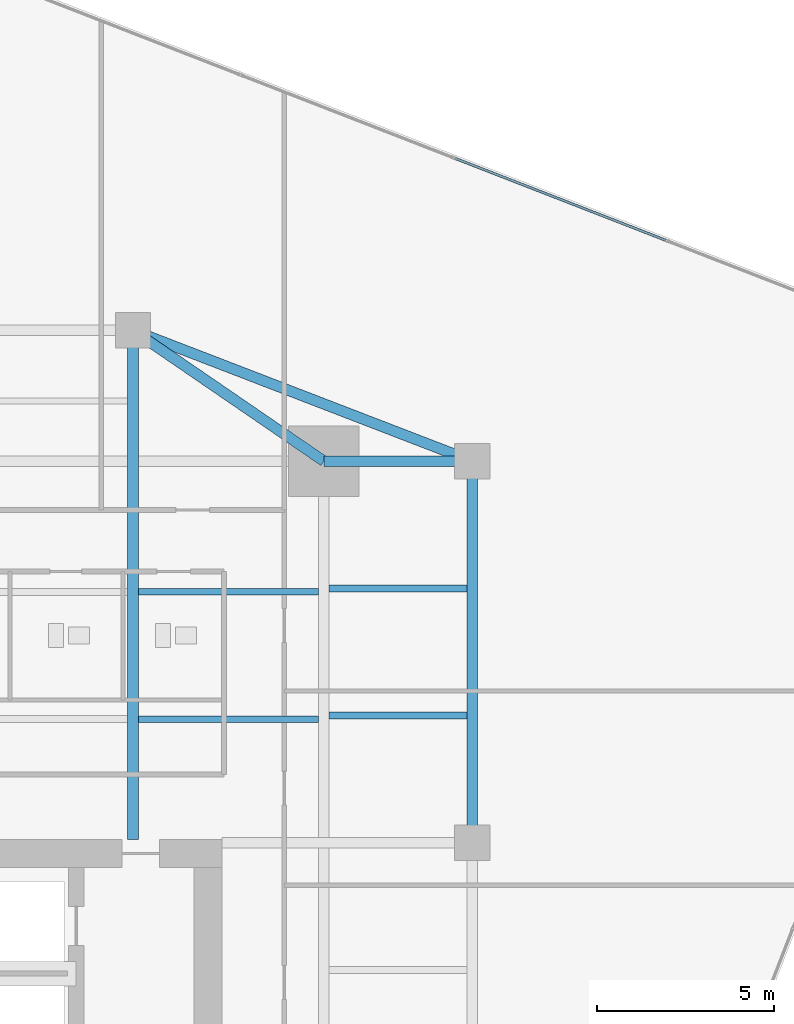
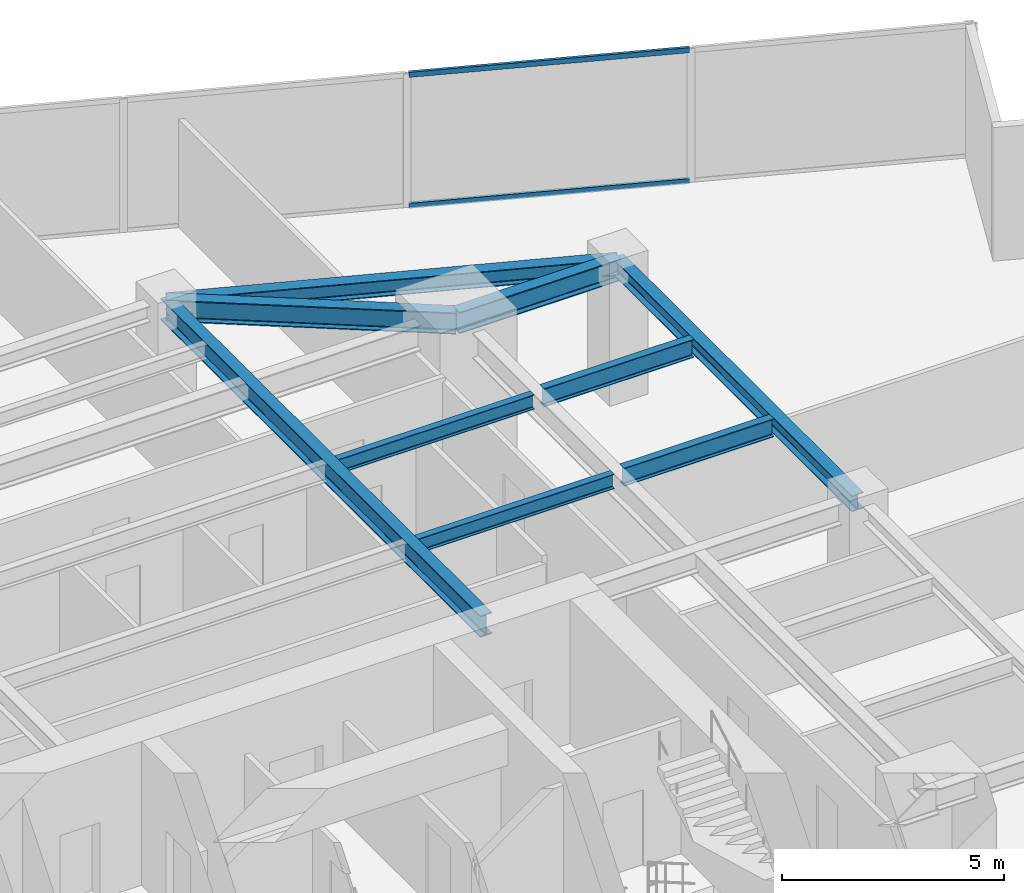
# One storey, part 18 of 26: 9 beams, 2 members, 1 element without a shape of its own.
"""IFC4 building model written with IfcOpenShell, lengths in metres."""

import ifcopenshell
import ifcopenshell.guid

model = None  # the IFC model being written
_history = None  # IfcOwnerHistory: only IFC2X3 demands one
_inside = {}  # id of a spatial element -> (the spatial element, [elements in it])
_under = {}  # id of a project, library or spatial element -> (it, [spatial elements below it])
_declared = {}  # id of a project -> (the project, [libraries it declares])
_typed = {}  # id of a type object -> (the type object, [elements of that type])
_made_of = {}  # id of a material, layer set ... -> (it, [elements and type objects made of it])


def new_model(schema):
    """Start an empty IFC model of exactly this schema.

    Asked for "IFC4X3", IfcOpenShell would pick the latest addendum, in which some entities
    have other attributes; the version numbers below select the first issue.
    IFC2X3 requires an IfcOwnerHistory on every rooted entity: one is made here for all.
    """
    global model, _history
    if schema == "IFC4X3":
        model = ifcopenshell.file(schema_version=(4, 3, 0, 0))
    else:
        model = ifcopenshell.file(schema=schema)
    _inside.clear()
    _under.clear()
    _declared.clear()
    _typed.clear()
    _made_of.clear()
    _history = None
    if model.schema == "IFC2X3":
        org = make("IfcOrganization", Name="unknown")
        user = make(
            "IfcPersonAndOrganization",
            ThePerson=make("IfcPerson", FamilyName="unknown"),
            TheOrganization=org,
        )
        app = make(
            "IfcApplication",
            ApplicationDeveloper=org,
            Version="unknown",
            ApplicationFullName="unknown",
            ApplicationIdentifier="unknown",
        )
        _history = make(
            "IfcOwnerHistory",
            OwningUser=user,
            OwningApplication=app,
            ChangeAction="ADDED",
            CreationDate=0,
        )
    return model


def make(cls, **values):
    """One entity of the class cls with the attributes given. An attribute that is None is left unset."""
    return model.create_entity(
        cls, **{name: value for name, value in values.items() if value is not None}
    )


def rooted(cls, **values):
    """An entity with a GlobalId (a new one), such as an element, a storey or a relation."""
    return make(cls, GlobalId=ifcopenshell.guid.new(), OwnerHistory=_history, **values)


def si_unit(unit_type, name, prefix=None):
    """IfcSIUnit, for example si_unit("LENGTHUNIT", "METRE", prefix="MILLI")."""
    return make("IfcSIUnit", UnitType=unit_type, Prefix=prefix, Name=name)


def assignment(units):
    """IfcUnitAssignment: the units of a project."""
    return None if units is None else make("IfcUnitAssignment", Units=units)


def point(xyz):
    """IfcCartesianPoint."""
    return None if xyz is None else make("IfcCartesianPoint", Coordinates=xyz)


def direction(xyz):
    """IfcDirection."""
    return None if xyz is None else make("IfcDirection", DirectionRatios=xyz)


def frame(location, z_axis=None, x_axis=None):
    """IfcAxis2Placement3D, a coordinate frame: its origin and axes. An axis left out is left unset."""
    return make(
        "IfcAxis2Placement3D",
        Location=point(location),
        Axis=direction(z_axis),
        RefDirection=direction(x_axis),
    )


def frame_2d(location, x_axis=None):
    """IfcAxis2Placement2D, a coordinate frame in the plane: its origin and x axis."""
    return make(
        "IfcAxis2Placement2D", Location=point(location), RefDirection=direction(x_axis)
    )


def origin():
    """The frame at (0, 0, 0) with its axes left unset."""
    return frame((0.0, 0.0, 0.0))


def origin_2d():
    """The frame at (0, 0) in the plane with its x axis left unset."""
    return frame_2d((0.0, 0.0))


def place(relative_to, where):
    """IfcLocalPlacement: puts the frame where relative to a parent placement (None: the world)."""
    return make(
        "IfcLocalPlacement", PlacementRelTo=relative_to, RelativePlacement=where
    )


def context(
    kind, dimensions, precision=None, world=None, true_north=None, identifier=None
):
    """IfcGeometricRepresentationContext, for example the 3D "Model" context."""
    return make(
        "IfcGeometricRepresentationContext",
        ContextIdentifier=identifier,
        ContextType=kind,
        CoordinateSpaceDimension=dimensions,
        Precision=precision,
        WorldCoordinateSystem=world,
        TrueNorth=true_north,
    )


def subcontext(parent, identifier, kind, view, scale=None):
    """IfcGeometricRepresentationSubContext, for example "Body" below "Model"."""
    return make(
        "IfcGeometricRepresentationSubContext",
        ContextIdentifier=identifier,
        ContextType=kind,
        ParentContext=parent,
        TargetScale=scale,
        TargetView=view,
    )


def project(units=None, contexts=None):
    """IfcProject with its units and contexts."""
    return rooted(
        "IfcProject",
        Name="project",
        RepresentationContexts=contexts,
        UnitsInContext=assignment(units),
    )


def spatial(cls, under=None, at=None, **own):
    """A site, building, storey or space (cls), placed at a placement, below another one or the project."""
    s = rooted(cls, ObjectPlacement=at, **own)
    if under is not None:
        _under.setdefault(under.id(), (under, []))[1].append(s)
    return s


def profile(cls, at=None, kind="AREA", **sizes):
    """A parametric profile (cls). Its sizes go by their IFC names, for example OverallWidth=200.0."""
    return make(cls, ProfileType=kind, Position=at, **sizes)


def hollow_rectangle(**sizes):
    """IfcRectangleHollowProfileDef."""
    return profile("IfcRectangleHollowProfileDef", **sizes)


def i_section(**sizes):
    """IfcIShapeProfileDef."""
    return profile("IfcIShapeProfileDef", **sizes)


def extrude(swept, where, along, depth):
    """IfcExtrudedAreaSolid: the profile swept, set in the frame where, extruded along a direction by depth."""
    return make(
        "IfcExtrudedAreaSolid",
        SweptArea=swept,
        Position=where,
        ExtrudedDirection=direction(along),
        Depth=depth,
    )


def shape(context_of_items, identifier, shape_type, items):
    """IfcShapeRepresentation: the items that make up one representation, for example the "Body"."""
    return make(
        "IfcShapeRepresentation",
        ContextOfItems=context_of_items,
        RepresentationIdentifier=identifier,
        RepresentationType=shape_type,
        Items=items,
    )


def source(mapping_origin, context_of_items, identifier, shape_type, items):
    """IfcRepresentationMap: a shape defined once, which mapped items show again and again."""
    return make(
        "IfcRepresentationMap",
        MappingOrigin=mapping_origin,
        MappedRepresentation=shape(context_of_items, identifier, shape_type, items),
    )


def transform(
    local_origin,
    x_axis=None,
    y_axis=None,
    z_axis=None,
    scale=None,
    scale2=None,
    scale3=None,
    uniform=True,
):
    """IfcCartesianTransformationOperator3D, or its non-uniform kind. x_axis, y_axis, z_axis: its Axis1, 2, 3."""
    if uniform:
        return make(
            "IfcCartesianTransformationOperator3D",
            Axis1=direction(x_axis),
            Axis2=direction(y_axis),
            LocalOrigin=point(local_origin),
            Scale=scale,
            Axis3=direction(z_axis),
        )
    return make(
        "IfcCartesianTransformationOperator3DnonUniform",
        Axis1=direction(x_axis),
        Axis2=direction(y_axis),
        LocalOrigin=point(local_origin),
        Scale=scale,
        Axis3=direction(z_axis),
        Scale2=scale2,
        Scale3=scale3,
    )


def mapped(mapping_source, mapping_target):
    """IfcMappedItem: shows the shape of a source again, moved by a transform."""
    return make(
        "IfcMappedItem", MappingSource=mapping_source, MappingTarget=mapping_target
    )


def material(Name=None, Category=None):
    """IfcMaterial."""
    return make("IfcMaterial", Name=Name, Category=Category)


def material_profile(
    of_material, cross_section, Name=None, Category=None, Priority=None
):
    """IfcMaterialProfile: a cross section and its material."""
    return make(
        "IfcMaterialProfile",
        Name=Name,
        Material=of_material,
        Profile=cross_section,
        Priority=Priority,
        Category=Category,
    )


def profile_set(profiles, Name=None, composite=None):
    """IfcMaterialProfileSet."""
    return make(
        "IfcMaterialProfileSet",
        Name=Name,
        MaterialProfiles=profiles,
        CompositeProfile=composite,
    )


def made_of(thing, what):
    """Note that an element or type object is made of a material, layer set ...; save() writes the relation."""
    if what is not None:
        _made_of.setdefault(what.id(), (what, []))[1].append(thing)
    return thing


def type_object(cls, material=None, **own):
    """A type object (cls), such as IfcWallType, which elements share."""
    return made_of(rooted(cls, **own), material)


def type_shapes(of_type, sources):
    """Give a type object the sources (RepresentationMaps) that its elements show as mapped items."""
    of_type.RepresentationMaps = sources


def element(
    cls,
    number,
    at=None,
    inside=None,
    cuts=None,
    type_object=None,
    material=None,
    context=None,
    identifier="Body",
    shape_type=None,
    held_by="IfcProductDefinitionShape",
    body=None,
    shapes=None,
    **own,
):
    """One element of the class cls, such as IfcWall. Its Tag is "e" and its number.

    at: its placement. inside: the storey or other place that contains it. cuts: it is an
    opening in that element (IfcRelVoidsElement). A single representation is given by context,
    identifier, shape_type and body (its items); several are given by shapes. held_by: the class
    of the entity that holds the representations. save() writes the other relations.
    """
    e = rooted(cls, Tag="e%d" % number, ObjectPlacement=at, **own)
    if body is not None:
        shapes = [shape(context, identifier, shape_type, body)]
    if shapes is not None:
        e.Representation = make(held_by, Representations=shapes)
    if inside is not None:
        _inside.setdefault(inside.id(), (inside, []))[1].append(e)
    if cuts is not None:
        rooted(
            "IfcRelVoidsElement", RelatingBuildingElement=cuts, RelatedOpeningElement=e
        )
    if type_object is not None:
        _typed.setdefault(type_object.id(), (type_object, []))[1].append(e)
    return made_of(e, material)


def aggregate(whole, parts):
    """IfcRelAggregates: a whole, such as a stair, and the parts it consists of."""
    return rooted("IfcRelAggregates", RelatingObject=whole, RelatedObjects=parts)


def save(model, path):
    """Write the relations noted so far, then the file.

    IfcRelAggregates (storeys below a building ...), IfcRelContainedInSpatialStructure (elements
    in a storey), IfcRelDefinesByType, IfcRelAssociatesMaterial and IfcRelDeclares: one each for
    every whole, place, type object, material and project.
    """
    for whole, parts in _under.values():
        aggregate(whole, parts)
    for where, things in _inside.values():
        rooted(
            "IfcRelContainedInSpatialStructure",
            RelatedElements=things,
            RelatingStructure=where,
        )
    for kind, things in _typed.values():
        rooted("IfcRelDefinesByType", RelatedObjects=things, RelatingType=kind)
    for what, things in _made_of.values():
        rooted("IfcRelAssociatesMaterial", RelatedObjects=things, RelatingMaterial=what)
    for by, libraries in _declared.values():
        rooted("IfcRelDeclares", RelatingContext=by, RelatedDefinitions=libraries)
    model.write(path)


model = new_model("IFC4")

# Units and contexts
model_context = context("Model", 3, precision=1e-05, world=origin(), true_north=direction((0.0, 1.0)))
body_context = subcontext(model_context, "Body", "Model", "MODEL_VIEW")
ifc_project = project(units=[si_unit("LENGTHUNIT", "METRE"), si_unit("AREAUNIT", "SQUARE_METRE"), si_unit("VOLUMEUNIT", "CUBIC_METRE"), si_unit("PLANEANGLEUNIT", "RADIAN"), si_unit("MASSUNIT", "GRAM", prefix="KILO")], contexts=[model_context])

# Site, building, storey
site_placement = place(None, origin())
site = spatial("IfcSite", under=ifc_project, at=site_placement, CompositionType="ELEMENT")
building_placement = place(site_placement, origin())
building = spatial("IfcBuilding", under=site, at=building_placement, Name="Krantzveldt Concourse Tower", CompositionType="ELEMENT")
storey_placement = place(building_placement, frame((0.0, 0.0, 133.5)))
storey = spatial("IfcBuildingStorey", under=building, at=storey_placement, Name="L32", CompositionType="ELEMENT", Elevation=133.5)

# Beams
ifc_material_1 = material(Name="Steel S355JR", Category="steel")
ifc_material_profile_1 = material_profile(ifc_material_1, i_section(OverallWidth=0.300048828125, OverallDepth=0.590087890625, WebThickness=0.012939453125, FlangeThickness=0.02490234375, FilletRadius=0.027099609375, at=origin_2d()), Name="Steel S355JR", Category="steel")
ifc_profile_set_1 = profile_set([ifc_material_profile_1], Name="Steel S355JR - HEA 600")
beam_type_1 = type_object("IfcBeamType", Name="BM-B-HEA600", PredefinedType="BEAM", material=ifc_profile_set_1)
shared_shape_1 = source(origin(), body_context, "Body", "SweptSolid", [
    extrude(i_section(OverallWidth=0.300048828125, OverallDepth=0.590087890625, WebThickness=0.012939453125, FlangeThickness=0.02490234375, FilletRadius=0.027099609375, at=origin_2d()), origin(), (0.0, 0.0, 1.0), 14.39990234375),
])
beam_1_placement = place(storey_placement, frame((41.39990234375, 26.800048828125, 3.375), z_axis=(0.0, 1.0, 0.0), x_axis=(-1.0, 0.0, 0.0)))
element("IfcBeam", 1, at=beam_1_placement, inside=storey, type_object=beam_type_1, Name="L32 Tower Girder BG-CNE", PredefinedType="BEAM", context=body_context, shape_type="MappedRepresentation", body=[
    mapped(shared_shape_1, transform((0.0, 0.0, 0.0), x_axis=(1.0, 0.0, 0.0), y_axis=(0.0, 1.0, 0.0), z_axis=(0.0, 0.0, 1.0), scale=1.0)),
])
ifc_material_profile_2 = material_profile(ifc_material_1, i_section(OverallWidth=0.300048828125, OverallDepth=0.43994140625, WebThickness=0.011474609375, FlangeThickness=0.02099609375, FilletRadius=0.027099609375, at=origin_2d()), Name="Steel S355JR", Category="steel")
ifc_profile_set_2 = profile_set([ifc_material_profile_2], Name="Steel S355JR - HEA 450")
beam_type_2 = type_object("IfcBeamType", Name="BM-SP-HEA450", PredefinedType="SPANDREL", material=ifc_profile_set_2)
shared_shape_2 = source(origin(), body_context, "Body", "SweptSolid", [
    extrude(i_section(OverallWidth=0.300048828125, OverallDepth=0.43994140625, WebThickness=0.011474609375, FlangeThickness=0.02099609375, FilletRadius=0.027099609375, at=origin_2d()), origin(), (0.0, 0.0, 1.0), 10.800048828125),
])
beam_2_placement = place(storey_placement, frame((51.0, 37.5, 3.449951171875), z_axis=(0.0, -1.0, 0.0), x_axis=(1.0, 0.0, 0.0)))
element("IfcBeam", 2, at=beam_2_placement, inside=storey, type_object=beam_type_2, Name="L32 Tower Girder SP-R06", PredefinedType="SPANDREL", context=body_context, shape_type="MappedRepresentation", body=[
    mapped(shared_shape_2, transform((0.0, 0.0, 0.0), x_axis=(1.0, 0.0, 0.0), y_axis=(0.0, 1.0, 0.0), z_axis=(0.0, 0.0, 1.0), scale=1.0)),
])
shared_shape_3 = source(origin(), body_context, "Body", "SweptSolid", [
    extrude(i_section(OverallWidth=0.300048828125, OverallDepth=0.43994140625, WebThickness=0.011474609375, FlangeThickness=0.02099609375, FilletRadius=0.027099609375, at=origin_2d()), origin(), (0.0, 0.0, 1.0), 10.288330078125),
])
type_shapes(beam_type_2, [shared_shape_2, shared_shape_3])
beam_3_placement = place(storey_placement, frame((41.39990234375, 41.199951171875, 3.449951171875), z_axis=(0.933097690408, -0.359622997257, 0.0), x_axis=(0.359622997257, 0.933097690408, 0.0)))
element("IfcBeam", 3, at=beam_3_placement, inside=storey, type_object=beam_type_2, Name="L32 Tower Girder SP-R05", PredefinedType="SPANDREL", context=body_context, shape_type="MappedRepresentation", body=[
    mapped(shared_shape_3, transform((0.0, 0.0, 0.0), x_axis=(1.0, 0.0, 0.0), y_axis=(0.0, 1.0, 0.0), z_axis=(0.0, 0.0, 1.0), scale=1.0)),
])
shared_shape_4 = source(origin(), body_context, "Body", "SweptSolid", [
    extrude(i_section(OverallWidth=0.300048828125, OverallDepth=0.590087890625, WebThickness=0.012939453125, FlangeThickness=0.02490234375, FilletRadius=0.027099609375, at=origin_2d()), origin(), (0.0, 0.0, 1.0), 4.199951171875),
])
beam_4_placement = place(storey_placement, frame((46.800048828125, 37.5, 3.375), z_axis=(1.0, 0.0, 0.0), x_axis=(0.0, 1.0, 0.0)))
element("IfcBeam", 4, at=beam_4_placement, inside=storey, type_object=beam_type_1, Name="L32 Tower Girder BR-RR3", PredefinedType="BEAM", context=body_context, shape_type="MappedRepresentation", body=[
    mapped(shared_shape_4, transform((0.0, 0.0, 0.0), x_axis=(1.0, 0.0, 0.0), y_axis=(0.0, 1.0, 0.0), z_axis=(0.0, 0.0, 1.0), scale=1.0)),
])
shared_shape_5 = source(origin(), body_context, "Body", "SweptSolid", [
    extrude(i_section(OverallWidth=0.300048828125, OverallDepth=0.590087890625, WebThickness=0.012939453125, FlangeThickness=0.02490234375, FilletRadius=0.027099609375, at=origin_2d()), origin(), (0.0, 0.0, 1.0), 6.546142578125),
])
type_shapes(beam_type_1, [shared_shape_1, shared_shape_4, shared_shape_5])
beam_5_placement = place(storey_placement, frame((46.800048828125, 37.5, 3.375), z_axis=(-0.824942999484, 0.565215930068, 0.0), x_axis=(-0.565215930068, -0.824942999484, 0.0)))
element("IfcBeam", 5, at=beam_5_placement, inside=storey, type_object=beam_type_1, Name="L32 Tower Girder BR-RR4", PredefinedType="BEAM", context=body_context, shape_type="MappedRepresentation", body=[
    mapped(shared_shape_5, transform((0.0, 0.0, 0.0), x_axis=(1.0, 0.0, 0.0), y_axis=(0.0, 1.0, 0.0), z_axis=(0.0, 0.0, 1.0), scale=1.0)),
])
ifc_material_profile_3 = material_profile(ifc_material_1, i_section(OverallWidth=0.179931640625, OverallDepth=0.39990234375, WebThickness=0.008544921875, FlangeThickness=0.013427734375, FilletRadius=0.02099609375, at=origin_2d()), Name="Steel S355JR", Category="steel")
ifc_profile_set_3 = profile_set([ifc_material_profile_3], Name="Steel S355JR - IPE 400")
beam_type_3 = type_object("IfcBeamType", Name="BM-J-IPE400", PredefinedType="JOIST", material=ifc_profile_set_3)
shared_shape_6 = source(origin(), body_context, "Body", "SweptSolid", [
    extrude(i_section(OverallWidth=0.179931640625, OverallDepth=0.39990234375, WebThickness=0.008544921875, FlangeThickness=0.013427734375, FilletRadius=0.02099609375, at=origin_2d()), origin(), (0.0, 0.0, 1.0), 5.099853515625),
])
type_shapes(beam_type_3, [shared_shape_6])
for number, where, z_axis, x_axis, name in (
    (6, (41.550048828125, 30.199951171875, 3.469970703125), (1.0, 0.0, 0.0), (0.0, 1.0, 0.0), "L32 Secondary Floor Joist JN-E1"),
    (7, (41.550048828125, 33.800048828125, 3.469970703125), (1.0, 0.0, 0.0), (0.0, 1.0, 0.0), "L32 Secondary Floor Joist JN-E2"),
):
    element("IfcBeam", number, at=place(storey_placement, frame(where, z_axis=z_axis, x_axis=x_axis)), inside=storey, type_object=beam_type_3, Name=name, PredefinedType="JOIST", context=body_context, shape_type="MappedRepresentation", body=[
        mapped(shared_shape_6, transform((0.0, 0.0, 0.0), x_axis=(1.0, 0.0, 0.0), y_axis=(0.0, 1.0, 0.0), z_axis=(0.0, 0.0, 1.0), scale=1.0)),
    ])
ifc_material_profile_4 = material_profile(ifc_material_1, i_section(OverallWidth=0.199951171875, OverallDepth=0.5, WebThickness=0.01025390625, FlangeThickness=0.01611328125, FilletRadius=0.02099609375, at=origin_2d()), Name="Steel S355JR", Category="steel")
ifc_profile_set_4 = profile_set([ifc_material_profile_4], Name="Steel S355JR - IPE 500")
beam_type_4 = type_object("IfcBeamType", Name="BM-J-IPE500", PredefinedType="JOIST", material=ifc_profile_set_4)
shared_shape_7 = source(origin(), body_context, "Body", "SweptSolid", [
    extrude(i_section(OverallWidth=0.199951171875, OverallDepth=0.5, WebThickness=0.01025390625, FlangeThickness=0.01611328125, FilletRadius=0.02099609375, at=origin_2d()), origin(), (0.0, 0.0, 1.0), 3.900146484375),
])
type_shapes(beam_type_4, [shared_shape_7])
for number, where, z_axis, x_axis, name in (
    (8, (46.949951171875, 30.300048828125, 3.419921875), (1.0, 0.0, 0.0), (0.0, 1.0, 0.0), "L32 Secondary Floor Joist JE-3"),
    (9, (46.949951171875, 33.89990234375, 3.419921875), (1.0, 0.0, 0.0), (0.0, 1.0, 0.0), "L32 Secondary Floor Joist JE-4"),
):
    element("IfcBeam", number, at=place(storey_placement, frame(where, z_axis=z_axis, x_axis=x_axis)), inside=storey, type_object=beam_type_4, Name=name, PredefinedType="JOIST", context=body_context, shape_type="MappedRepresentation", body=[
        mapped(shared_shape_7, transform((0.0, 0.0, 0.0), x_axis=(1.0, 0.0, 0.0), y_axis=(0.0, 1.0, 0.0), z_axis=(0.0, 0.0, 1.0), scale=1.0)),
    ])

# Curtain wall, members
ifc_material_2 = material(Name="Anodised aluminium 6063-T6", Category="aluminium")
curtain_wall_type = type_object("IfcCurtainWallType", Name="CW2", PredefinedType="USERDEFINED", material=ifc_material_2)
curtain_wall_placement = place(storey_placement, origin())
curtain_wall = element("IfcCurtainWall", 10, at=curtain_wall_placement, inside=storey, type_object=curtain_wall_type, Name="CW-L32-F14", ObjectType="UNITISED CURTAIN WALL", PredefinedType="USERDEFINED")
ifc_material_profile_5 = material_profile(ifc_material_2, hollow_rectangle(XDim=0.070068359375, YDim=0.139892578125, WallThickness=0.0048828125, at=origin_2d()), Name="Anodised aluminium 6063-T6", Category="aluminium")
ifc_profile_set_5 = profile_set([ifc_material_profile_5], Name="Anodised aluminium 6063-T6 - ALU-TRAN 140x70x5")
member_type = type_object("IfcMemberType", Name="CW-TRN-150", PredefinedType="USERDEFINED", material=ifc_profile_set_5)
shared_shape_8 = source(origin(), body_context, "Body", "SweptSolid", [
    extrude(hollow_rectangle(XDim=0.070068359375, YDim=0.139892578125, WallThickness=0.0048828125, at=origin_2d()), origin(), (0.0, 0.0, 1.0), 6.396484375),
])
type_shapes(member_type, [shared_shape_8])
member_1_placement = place(storey_placement, frame((56.4697265625, 43.750244140625, 0.034912109375), z_axis=(-0.932008252882, 0.36243705186, 0.0), x_axis=(-0.36243705186, -0.932008252882, 0.0)))
member_1 = element("IfcMember", 11, at=member_1_placement, type_object=member_type, Name="CW-Z12 transom 2.1", ObjectType="TRANSOM", PredefinedType="USERDEFINED", context=body_context, shape_type="MappedRepresentation", body=[
    mapped(shared_shape_8, transform((0.0, 0.0, 0.0), x_axis=(1.0, 0.0, 0.0), y_axis=(0.0, 1.0, 0.0), z_axis=(0.0, 0.0, 1.0), scale=1.0)),
])
member_2_placement = place(storey_placement, frame((56.4697265625, 43.750244140625, 3.635009765625), z_axis=(-0.932008252882, 0.36243705186, 0.0), x_axis=(-0.36243705186, -0.932008252882, 0.0)))
member_2 = element("IfcMember", 12, at=member_2_placement, type_object=member_type, Name="CW-Z12 transom 2.2", ObjectType="TRANSOM", PredefinedType="USERDEFINED", context=body_context, shape_type="MappedRepresentation", body=[
    mapped(shared_shape_8, transform((0.0, 0.0, 0.0), x_axis=(1.0, 0.0, 0.0), y_axis=(0.0, 1.0, 0.0), z_axis=(0.0, 0.0, 1.0), scale=1.0)),
])
aggregate(curtain_wall, [member_1, member_2])

save(model, "model.ifc")
